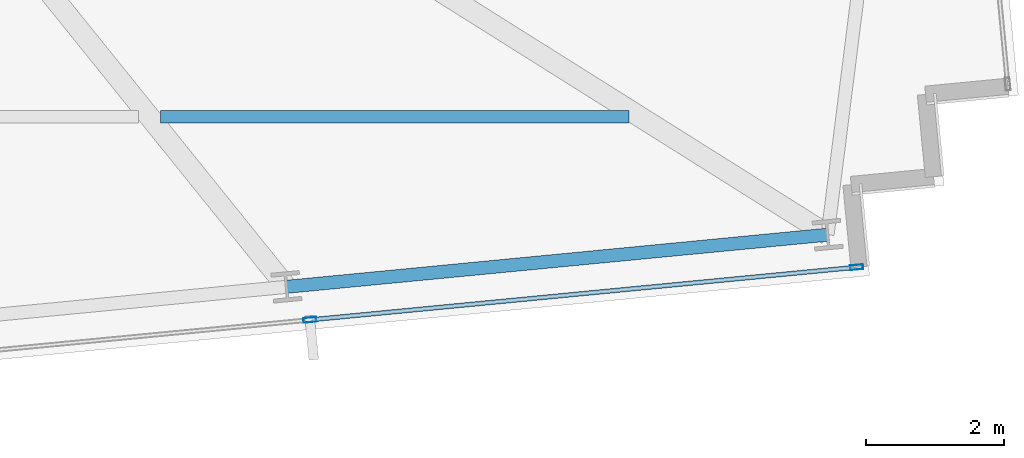
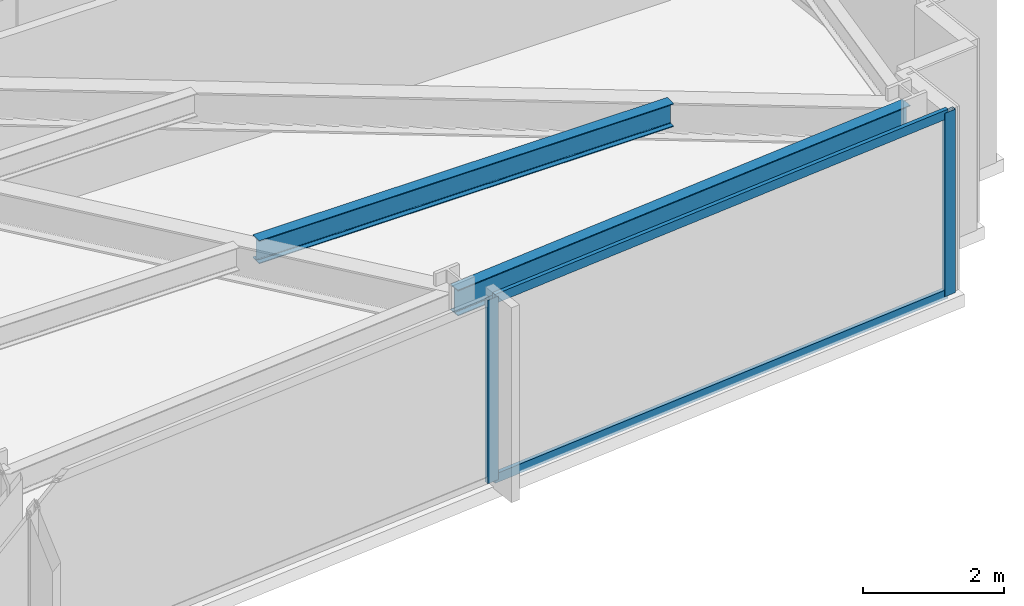
# One storey, part 12 of 32: 4 members, 2 beams, 1 element without a shape of its own.
"""IFC4 building model written with IfcOpenShell, lengths in metres."""

from ifc_helpers import new_model, si_unit, direction, frame, origin, origin_2d, place, context, subcontext, project, spatial, hollow_rectangle, i_section, extrude, material, material_profile, profile_set, type_object, element, aggregate, save


model = new_model("IFC4")

# Units and contexts
model_context = context("Model", 3, precision=1e-05, world=origin(), true_north=direction((0.0, 1.0)))
body_context = subcontext(model_context, "Body", "Model", "MODEL_VIEW")
ifc_project = project(units=[si_unit("LENGTHUNIT", "METRE"), si_unit("AREAUNIT", "SQUARE_METRE"), si_unit("VOLUMEUNIT", "CUBIC_METRE"), si_unit("PLANEANGLEUNIT", "RADIAN"), si_unit("MASSUNIT", "GRAM", prefix="KILO")], contexts=[model_context])

# Site, building, storey
site_placement = place(None, origin())
site = spatial("IfcSite", under=ifc_project, at=site_placement, CompositionType="ELEMENT")
building_placement = place(site_placement, origin())
building = spatial("IfcBuilding", under=site, at=building_placement, Name="Yelkora Congress Tower", CompositionType="ELEMENT")
storey_placement = place(building_placement, frame((0.0, 0.0, 103.300048828125)))
storey = spatial("IfcBuildingStorey", under=building, at=storey_placement, Name="L27", CompositionType="ELEMENT", Elevation=103.300048828125)

# Beams
ifc_material_1 = material(Name="Steel S355J2", Category="steel")
ifc_material_profile_1 = material_profile(ifc_material_1, i_section(OverallWidth=0.179931640625, OverallDepth=0.39990234375, WebThickness=0.008544921875, FlangeThickness=0.013427734375, FilletRadius=0.02099609375, at=origin_2d()), Name="IPE 400")
ifc_profile_set_1 = profile_set([ifc_material_profile_1], Name="Steel S355J2")
beam_type_1 = type_object("IfcBeamType", Name="BM-JOIST-IPE400", PredefinedType="JOIST", material=ifc_profile_set_1)
beam_1_placement = place(storey_placement, frame((65.056396484375, 16.144287109375, 2.97998046875), z_axis=(1.0, 0.0, 0.0), x_axis=(0.0, 1.0, 0.0)))
element("IfcBeam", 1, at=beam_1_placement, inside=storey, type_object=beam_type_1, Name="L27 Composite Floor Joist 10", PredefinedType="JOIST", context=body_context, shape_type="SweptSolid", body=[
    extrude(i_section(OverallWidth=0.179931640625, OverallDepth=0.39990234375, WebThickness=0.008544921875, FlangeThickness=0.013427734375, FilletRadius=0.02099609375, at=origin_2d()), origin(), (0.0, 0.0, 1.0), 6.795166015625),
])
ifc_material_profile_2 = material_profile(ifc_material_1, i_section(OverallWidth=0.18994140625, OverallDepth=0.449951171875, WebThickness=0.009521484375, FlangeThickness=0.0146484375, FilletRadius=0.02099609375, at=origin_2d()), Name="IPE 450")
ifc_profile_set_2 = profile_set([ifc_material_profile_2], Name="Steel S355J2")
beam_type_2 = type_object("IfcBeamType", Name="BM-SPAN-IPE450", PredefinedType="SPANDREL", material=ifc_profile_set_2)
beam_2_placement = place(storey_placement, frame((66.882568359375, 13.67919921875, 2.954833984375), z_axis=(0.995395575667, 0.095852219286, 0.0), x_axis=(-0.095852219286, 0.995395575667, 0.0)))
element("IfcBeam", 2, at=beam_2_placement, inside=storey, type_object=beam_type_2, Name="L27 Perimeter Beam 9", PredefinedType="SPANDREL", context=body_context, shape_type="SweptSolid", body=[
    extrude(i_section(OverallWidth=0.18994140625, OverallDepth=0.449951171875, WebThickness=0.009521484375, FlangeThickness=0.0146484375, FilletRadius=0.02099609375, at=origin_2d()), origin(), (0.0, 0.0, 1.0), 7.8857421875),
])

# Curtain wall, members
ifc_material_2 = material(Name="Anodised aluminium and insulated glass", Category="aluminium")
curtain_wall_type = type_object("IfcCurtainWallType", Name="CW-SYS-B2", PredefinedType="NOTDEFINED", material=ifc_material_2)
curtain_wall_placement = place(storey_placement, origin())
curtain_wall = element("IfcCurtainWall", 3, at=curtain_wall_placement, inside=storey, type_object=curtain_wall_type, Name="L27 Unitised Curtain Wall 20", PredefinedType="NOTDEFINED")
ifc_material_3 = material(Name="Anodised aluminium 6063-T6", Category="aluminium")
ifc_material_profile_3 = material_profile(ifc_material_3, hollow_rectangle(XDim=0.070068359375, YDim=0.18994140625, WallThickness=0.00390625, at=origin_2d()), Name="ALU 70x190x4")
ifc_profile_set_3 = profile_set([ifc_material_profile_3], Name="Anodised aluminium 6063-T6")
member_type_1 = type_object("IfcMemberType", Name="MEM-ML-B2", PredefinedType="MULLION", material=ifc_profile_set_3)
member_1_placement = place(storey_placement, frame((75.154052734375, 13.96337890625, 0.0), z_axis=(0.0, 0.0, 1.0), x_axis=(0.095844345816, -0.995396333816, 0.0)))
member_1 = element("IfcMember", 4, at=member_1_placement, type_object=member_type_1, Name="CW-B2 mullion 1", PredefinedType="MULLION", context=body_context, shape_type="SweptSolid", body=[
    extrude(hollow_rectangle(XDim=0.070068359375, YDim=0.18994140625, WallThickness=0.00390625, at=origin_2d()), origin(), (0.0, 0.0, 1.0), 3.179931640625),
])
member_2_placement = place(storey_placement, frame((67.222900390625, 13.19970703125, 0.0), z_axis=(0.0, 0.0, 1.0), x_axis=(0.095844345816, -0.995396333816, 0.0)))
member_2 = element("IfcMember", 5, at=member_2_placement, type_object=member_type_1, Name="CW-B2 mullion 2", PredefinedType="MULLION", context=body_context, shape_type="SweptSolid", body=[
    extrude(hollow_rectangle(XDim=0.070068359375, YDim=0.18994140625, WallThickness=0.00390625, at=origin_2d()), origin(), (0.0, 0.0, 1.0), 3.179931640625),
])
ifc_material_profile_4 = material_profile(ifc_material_3, hollow_rectangle(XDim=0.06494140625, YDim=0.159912109375, WallThickness=0.00390625, at=origin_2d()), Name="ALU 65x160x4")
ifc_profile_set_4 = profile_set([ifc_material_profile_4], Name="Anodised aluminium 6063-T6")
member_type_2 = type_object("IfcMemberType", Name="MEM-TR-B2", PredefinedType="USERDEFINED", material=ifc_profile_set_4)
member_3_placement = place(storey_placement, frame((75.119140625, 13.9599609375, 0.032470703125), z_axis=(-0.995397978421, -0.095827264157, 0.0), x_axis=(0.095827264157, -0.995397978421, 0.0)))
member_3 = element("IfcMember", 6, at=member_3_placement, type_object=member_type_2, Name="CW-B2 transom 1.1", ObjectType="TRANSOM", PredefinedType="USERDEFINED", context=body_context, shape_type="SweptSolid", body=[
    extrude(hollow_rectangle(XDim=0.06494140625, YDim=0.159912109375, WallThickness=0.00390625, at=origin_2d()), origin(), (0.0, 0.0, 1.0), 7.89794921875),
])
member_4_placement = place(storey_placement, frame((75.119140625, 13.9599609375, 3.1474609375), z_axis=(-0.995397978421, -0.095827264157, 0.0), x_axis=(0.095827264157, -0.995397978421, 0.0)))
member_4 = element("IfcMember", 7, at=member_4_placement, type_object=member_type_2, Name="CW-B2 transom 1.2", ObjectType="TRANSOM", PredefinedType="USERDEFINED", context=body_context, shape_type="SweptSolid", body=[
    extrude(hollow_rectangle(XDim=0.06494140625, YDim=0.159912109375, WallThickness=0.00390625, at=origin_2d()), origin(), (0.0, 0.0, 1.0), 7.89794921875),
])
aggregate(curtain_wall, [member_1, member_2, member_3, member_4])

save(model, "model.ifc")
